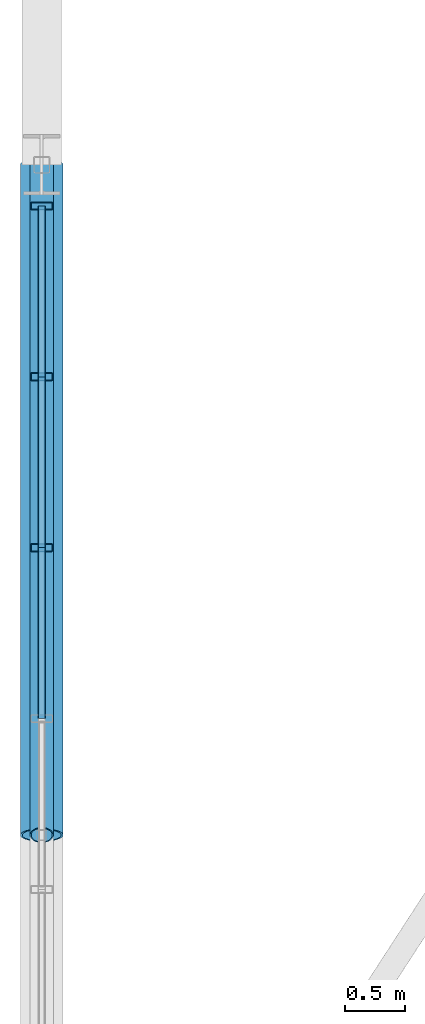
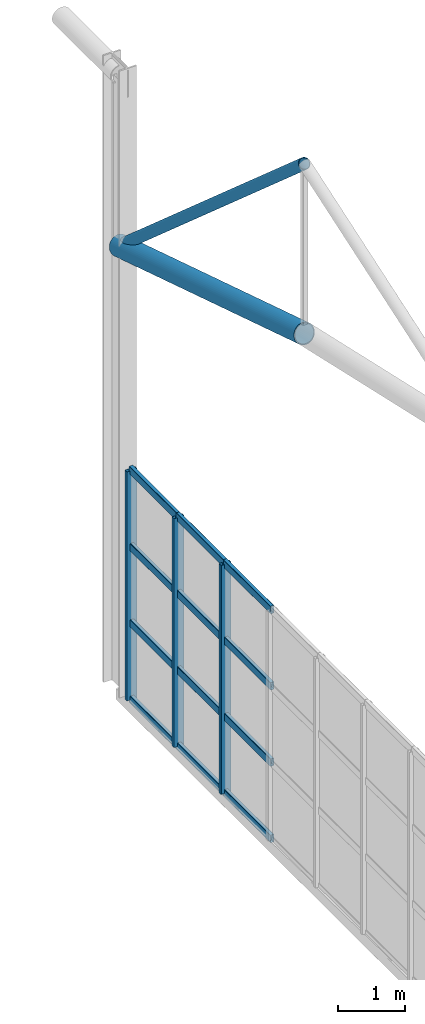
# One storey, part 53 of 153: 17 members, 1 element without a shape of its own.
"""IFC4 building model written with IfcOpenShell, lengths in metres."""

from ifc_helpers import new_model, si_unit, derived_unit, direction, frame, origin, origin_2d, place, context, subcontext, project, spatial, hollow_rectangle, hollow_circle, extrude, material, material_profile, profile_set, type_object, element, aggregate, save


model = new_model("IFC4")

# Units and contexts
model_context = context("Model", 3, precision=1e-05, world=origin(), true_north=direction((0.0, 1.0)))
body_context = subcontext(model_context, "Body", "Model", "MODEL_VIEW")
ifc_project = project(units=[si_unit("LENGTHUNIT", "METRE"), si_unit("AREAUNIT", "SQUARE_METRE"), si_unit("VOLUMEUNIT", "CUBIC_METRE"), si_unit("PLANEANGLEUNIT", "RADIAN"), si_unit("MASSUNIT", "GRAM", prefix="KILO"), derived_unit("THERMALTRANSMITTANCEUNIT", [(si_unit("POWERUNIT", "WATT"), 1), (si_unit("LENGTHUNIT", "METRE"), -2), (si_unit("THERMODYNAMICTEMPERATUREUNIT", "KELVIN"), -1)])], contexts=[model_context])

# Site, building, storey
site_placement = place(None, origin())
site = spatial("IfcSite", under=ifc_project, at=site_placement, CompositionType="ELEMENT")
building_placement = place(site_placement, origin())
building = spatial("IfcBuilding", under=site, at=building_placement, Name="Keldorne Ridge Multi-Sports Centre", CompositionType="ELEMENT")
storey_placement = place(building_placement, frame((0.0, 0.0, 9.60009765625)))
storey = spatial("IfcBuildingStorey", under=building, at=storey_placement, Name="L02", CompositionType="ELEMENT", Elevation=9.60009765625)

# Curtain wall, members
ifc_material_1 = material(Name="Anodized aluminium", Category="aluminium")
curtain_wall_type = type_object("IfcCurtainWallType", Name="CW-CW-01", PredefinedType="NOTDEFINED", material=ifc_material_1)
curtain_wall_placement = place(storey_placement, origin())
curtain_wall = element("IfcCurtainWall", 1, at=curtain_wall_placement, inside=storey, type_object=curtain_wall_type, Name="Main Hall west high gable glazing 033", PredefinedType="NOTDEFINED")
ifc_material_profile_1 = material_profile(ifc_material_1, hollow_rectangle(XDim=0.06494140625, YDim=0.179931640625, WallThickness=0.00439453125, InnerFilletRadius=0.00439453125, OuterFilletRadius=0.009033203125, at=origin_2d()), Name="ALU MULLION 180x65x4.5")
ifc_profile_set_1 = profile_set([ifc_material_profile_1], Name="Anodized aluminium")
member_type_1 = type_object("IfcMemberType", Name="MEM-ML-01", PredefinedType="MULLION", material=ifc_profile_set_1)
member_1_placement = place(storey_placement, frame((6.0, 53.659912109375, 0.0), z_axis=(0.0, 0.0, 1.0), x_axis=(0.0, 1.0, 0.0)))
member_1 = element("IfcMember", 2, at=member_1_placement, type_object=member_type_1, Name="CW-033 vertical mullion 1", PredefinedType="MULLION", context=body_context, shape_type="SweptSolid", body=[
    extrude(hollow_rectangle(XDim=0.06494140625, YDim=0.179931640625, WallThickness=0.00439453125, InnerFilletRadius=0.00439453125, OuterFilletRadius=0.009033203125, at=origin_2d()), origin(), (0.0, 0.0, 1.0), 4.199951171875),
])
member_2_placement = place(storey_placement, frame((6.0, 52.2451171875, 0.0), z_axis=(0.0, 0.0, 1.0), x_axis=(0.0, 1.0, 0.0)))
member_2 = element("IfcMember", 3, at=member_2_placement, type_object=member_type_1, Name="CW-033 vertical mullion 2", PredefinedType="MULLION", context=body_context, shape_type="SweptSolid", body=[
    extrude(hollow_rectangle(XDim=0.06494140625, YDim=0.179931640625, WallThickness=0.00439453125, InnerFilletRadius=0.00439453125, OuterFilletRadius=0.009033203125, at=origin_2d()), origin(), (0.0, 0.0, 1.0), 4.199951171875),
])
member_3_placement = place(storey_placement, frame((6.0, 50.830078125, 0.0), z_axis=(0.0, 0.0, 1.0), x_axis=(0.0, 1.0, 0.0)))
member_3 = element("IfcMember", 4, at=member_3_placement, type_object=member_type_1, Name="CW-033 vertical mullion 3", PredefinedType="MULLION", context=body_context, shape_type="SweptSolid", body=[
    extrude(hollow_rectangle(XDim=0.06494140625, YDim=0.179931640625, WallThickness=0.00439453125, InnerFilletRadius=0.00439453125, OuterFilletRadius=0.009033203125, at=origin_2d()), origin(), (0.0, 0.0, 1.0), 4.199951171875),
])

# Members
ifc_material_2 = material(Name="Steel S355", Category="steel")
ifc_material_profile_2 = material_profile(ifc_material_2, hollow_circle(Radius=0.177734375, WallThickness=0.01611328125, at=origin_2d()), Name="CHS 355.6x16")
ifc_profile_set_2 = profile_set([ifc_material_profile_2], Name="Steel S355")
member_type_2 = type_object("IfcMemberType", Name="MEM-TC-01", PredefinedType="CHORD", material=ifc_profile_set_2)
member_4_placement = place(storey_placement, frame((6.0, 48.449951171875, 9.849853515625), z_axis=(0.0, 0.953713189214, -0.300717729305), x_axis=(-1.0, 0.0, 0.0)))
element("IfcMember", 5, at=member_4_placement, inside=storey, type_object=member_type_2, Name="Main Hall ROOF TRUSS AT-01 bottom chord 8", PredefinedType="CHORD", context=body_context, shape_type="SweptSolid", body=[
    extrude(hollow_circle(Radius=0.177734375, WallThickness=0.01611328125, at=origin_2d()), origin(), (0.0, 0.0, 1.0), 5.8193359375),
])
ifc_material_profile_3 = material_profile(ifc_material_2, hollow_circle(Radius=0.096923828125, WallThickness=0.010009765625, at=origin_2d()), Name="CHS 193.7x10")
ifc_profile_set_3 = profile_set([ifc_material_profile_3], Name="Steel S355")
member_type_3 = type_object("IfcMemberType", Name="MEM-TD-01", PredefinedType="BRACE", material=ifc_profile_set_3)
member_5_placement = place(storey_placement, frame((6.0, 48.449951171875, 12.969970703125), z_axis=(0.0, 0.751648102264, -0.659564348918), x_axis=(-1.0, 0.0, 0.0)))
element("IfcMember", 6, at=member_5_placement, inside=storey, type_object=member_type_3, Name="Main Hall ROOF TRUSS AT-01 diagonal 8", PredefinedType="BRACE", context=body_context, shape_type="SweptSolid", body=[
    extrude(hollow_circle(Radius=0.096923828125, WallThickness=0.010009765625, at=origin_2d()), origin(), (0.0, 0.0, 1.0), 7.3837890625),
])

# Member
ifc_material_profile_4 = material_profile(ifc_material_1, hollow_rectangle(XDim=0.06494140625, YDim=0.139892578125, WallThickness=0.00439453125, InnerFilletRadius=0.00439453125, OuterFilletRadius=0.009033203125, at=origin_2d()), Name="ALU TRANSOM 140x65x4.5")
ifc_profile_set_4 = profile_set([ifc_material_profile_4], Name="Anodized aluminium")
member_type_4 = type_object("IfcMemberType", Name="MEM-TR-01", PredefinedType="USERDEFINED", material=ifc_profile_set_4)
member_6_placement = place(storey_placement, frame((6.0, 53.659912109375, 0.0), z_axis=(0.0, -1.0, 0.0), x_axis=(1.0, 0.0, 0.0)))
member_6 = element("IfcMember", 7, at=member_6_placement, type_object=member_type_4, Name="CW-033 transom 1.1", ObjectType="TRANSOM", PredefinedType="USERDEFINED", context=body_context, shape_type="SweptSolid", body=[
    extrude(hollow_rectangle(XDim=0.06494140625, YDim=0.139892578125, WallThickness=0.00439453125, InnerFilletRadius=0.00439453125, OuterFilletRadius=0.009033203125, at=origin_2d()), origin(), (0.0, 0.0, 1.0), 1.414794921875),
])

member_7_placement = place(storey_placement, frame((6.0, 53.659912109375, 1.39990234375), z_axis=(0.0, -1.0, 0.0), x_axis=(1.0, 0.0, 0.0)))
member_7 = element("IfcMember", 8, at=member_7_placement, type_object=member_type_4, Name="CW-033 transom 1.2", ObjectType="TRANSOM", PredefinedType="USERDEFINED", context=body_context, shape_type="SweptSolid", body=[
    extrude(hollow_rectangle(XDim=0.06494140625, YDim=0.139892578125, WallThickness=0.00439453125, InnerFilletRadius=0.00439453125, OuterFilletRadius=0.009033203125, at=origin_2d()), origin(), (0.0, 0.0, 1.0), 1.414794921875),
])

member_8_placement = place(storey_placement, frame((6.0, 53.659912109375, 2.7998046875), z_axis=(0.0, -1.0, 0.0), x_axis=(1.0, 0.0, 0.0)))
member_8 = element("IfcMember", 9, at=member_8_placement, type_object=member_type_4, Name="CW-033 transom 1.3", ObjectType="TRANSOM", PredefinedType="USERDEFINED", context=body_context, shape_type="SweptSolid", body=[
    extrude(hollow_rectangle(XDim=0.06494140625, YDim=0.139892578125, WallThickness=0.00439453125, InnerFilletRadius=0.00439453125, OuterFilletRadius=0.009033203125, at=origin_2d()), origin(), (0.0, 0.0, 1.0), 1.414794921875),
])

member_9_placement = place(storey_placement, frame((6.0, 53.659912109375, 4.199951171875), z_axis=(0.0, -1.0, 0.0), x_axis=(1.0, 0.0, 0.0)))
member_9 = element("IfcMember", 10, at=member_9_placement, type_object=member_type_4, Name="CW-033 transom 1.4", ObjectType="TRANSOM", PredefinedType="USERDEFINED", context=body_context, shape_type="SweptSolid", body=[
    extrude(hollow_rectangle(XDim=0.06494140625, YDim=0.139892578125, WallThickness=0.00439453125, InnerFilletRadius=0.00439453125, OuterFilletRadius=0.009033203125, at=origin_2d()), origin(), (0.0, 0.0, 1.0), 1.414794921875),
])

member_10_placement = place(storey_placement, frame((6.0, 52.2451171875, 0.0), z_axis=(0.0, -1.0, 0.0), x_axis=(1.0, 0.0, 0.0)))
member_10 = element("IfcMember", 11, at=member_10_placement, type_object=member_type_4, Name="CW-033 transom 2.1", ObjectType="TRANSOM", PredefinedType="USERDEFINED", context=body_context, shape_type="SweptSolid", body=[
    extrude(hollow_rectangle(XDim=0.06494140625, YDim=0.139892578125, WallThickness=0.00439453125, InnerFilletRadius=0.00439453125, OuterFilletRadius=0.009033203125, at=origin_2d()), origin(), (0.0, 0.0, 1.0), 1.4150390625),
])

member_11_placement = place(storey_placement, frame((6.0, 52.2451171875, 1.39990234375), z_axis=(0.0, -1.0, 0.0), x_axis=(1.0, 0.0, 0.0)))
member_11 = element("IfcMember", 12, at=member_11_placement, type_object=member_type_4, Name="CW-033 transom 2.2", ObjectType="TRANSOM", PredefinedType="USERDEFINED", context=body_context, shape_type="SweptSolid", body=[
    extrude(hollow_rectangle(XDim=0.06494140625, YDim=0.139892578125, WallThickness=0.00439453125, InnerFilletRadius=0.00439453125, OuterFilletRadius=0.009033203125, at=origin_2d()), origin(), (0.0, 0.0, 1.0), 1.4150390625),
])

member_12_placement = place(storey_placement, frame((6.0, 52.2451171875, 2.7998046875), z_axis=(0.0, -1.0, 0.0), x_axis=(1.0, 0.0, 0.0)))
member_12 = element("IfcMember", 13, at=member_12_placement, type_object=member_type_4, Name="CW-033 transom 2.3", ObjectType="TRANSOM", PredefinedType="USERDEFINED", context=body_context, shape_type="SweptSolid", body=[
    extrude(hollow_rectangle(XDim=0.06494140625, YDim=0.139892578125, WallThickness=0.00439453125, InnerFilletRadius=0.00439453125, OuterFilletRadius=0.009033203125, at=origin_2d()), origin(), (0.0, 0.0, 1.0), 1.4150390625),
])

member_13_placement = place(storey_placement, frame((6.0, 52.2451171875, 4.199951171875), z_axis=(0.0, -1.0, 0.0), x_axis=(1.0, 0.0, 0.0)))
member_13 = element("IfcMember", 14, at=member_13_placement, type_object=member_type_4, Name="CW-033 transom 2.4", ObjectType="TRANSOM", PredefinedType="USERDEFINED", context=body_context, shape_type="SweptSolid", body=[
    extrude(hollow_rectangle(XDim=0.06494140625, YDim=0.139892578125, WallThickness=0.00439453125, InnerFilletRadius=0.00439453125, OuterFilletRadius=0.009033203125, at=origin_2d()), origin(), (0.0, 0.0, 1.0), 1.4150390625),
])

member_14_placement = place(storey_placement, frame((6.0, 50.830078125, 0.0), z_axis=(0.0, -1.0, 0.0), x_axis=(1.0, 0.0, 0.0)))
member_14 = element("IfcMember", 15, at=member_14_placement, type_object=member_type_4, Name="CW-033 transom 3.1", ObjectType="TRANSOM", PredefinedType="USERDEFINED", context=body_context, shape_type="SweptSolid", body=[
    extrude(hollow_rectangle(XDim=0.06494140625, YDim=0.139892578125, WallThickness=0.00439453125, InnerFilletRadius=0.00439453125, OuterFilletRadius=0.009033203125, at=origin_2d()), origin(), (0.0, 0.0, 1.0), 1.4150390625),
])

member_15_placement = place(storey_placement, frame((6.0, 50.830078125, 1.39990234375), z_axis=(0.0, -1.0, 0.0), x_axis=(1.0, 0.0, 0.0)))
member_15 = element("IfcMember", 16, at=member_15_placement, type_object=member_type_4, Name="CW-033 transom 3.2", ObjectType="TRANSOM", PredefinedType="USERDEFINED", context=body_context, shape_type="SweptSolid", body=[
    extrude(hollow_rectangle(XDim=0.06494140625, YDim=0.139892578125, WallThickness=0.00439453125, InnerFilletRadius=0.00439453125, OuterFilletRadius=0.009033203125, at=origin_2d()), origin(), (0.0, 0.0, 1.0), 1.4150390625),
])

member_16_placement = place(storey_placement, frame((6.0, 50.830078125, 2.7998046875), z_axis=(0.0, -1.0, 0.0), x_axis=(1.0, 0.0, 0.0)))
member_16 = element("IfcMember", 17, at=member_16_placement, type_object=member_type_4, Name="CW-033 transom 3.3", ObjectType="TRANSOM", PredefinedType="USERDEFINED", context=body_context, shape_type="SweptSolid", body=[
    extrude(hollow_rectangle(XDim=0.06494140625, YDim=0.139892578125, WallThickness=0.00439453125, InnerFilletRadius=0.00439453125, OuterFilletRadius=0.009033203125, at=origin_2d()), origin(), (0.0, 0.0, 1.0), 1.4150390625),
])

member_17_placement = place(storey_placement, frame((6.0, 50.830078125, 4.199951171875), z_axis=(0.0, -1.0, 0.0), x_axis=(1.0, 0.0, 0.0)))
member_17 = element("IfcMember", 18, at=member_17_placement, type_object=member_type_4, Name="CW-033 transom 3.4", ObjectType="TRANSOM", PredefinedType="USERDEFINED", context=body_context, shape_type="SweptSolid", body=[
    extrude(hollow_rectangle(XDim=0.06494140625, YDim=0.139892578125, WallThickness=0.00439453125, InnerFilletRadius=0.00439453125, OuterFilletRadius=0.009033203125, at=origin_2d()), origin(), (0.0, 0.0, 1.0), 1.4150390625),
])

aggregate(curtain_wall, [member_1, member_2, member_3, member_6, member_7, member_8, member_9, member_10, member_11, member_12, member_13, member_14, member_15, member_16, member_17])

save(model, "model.ifc")
